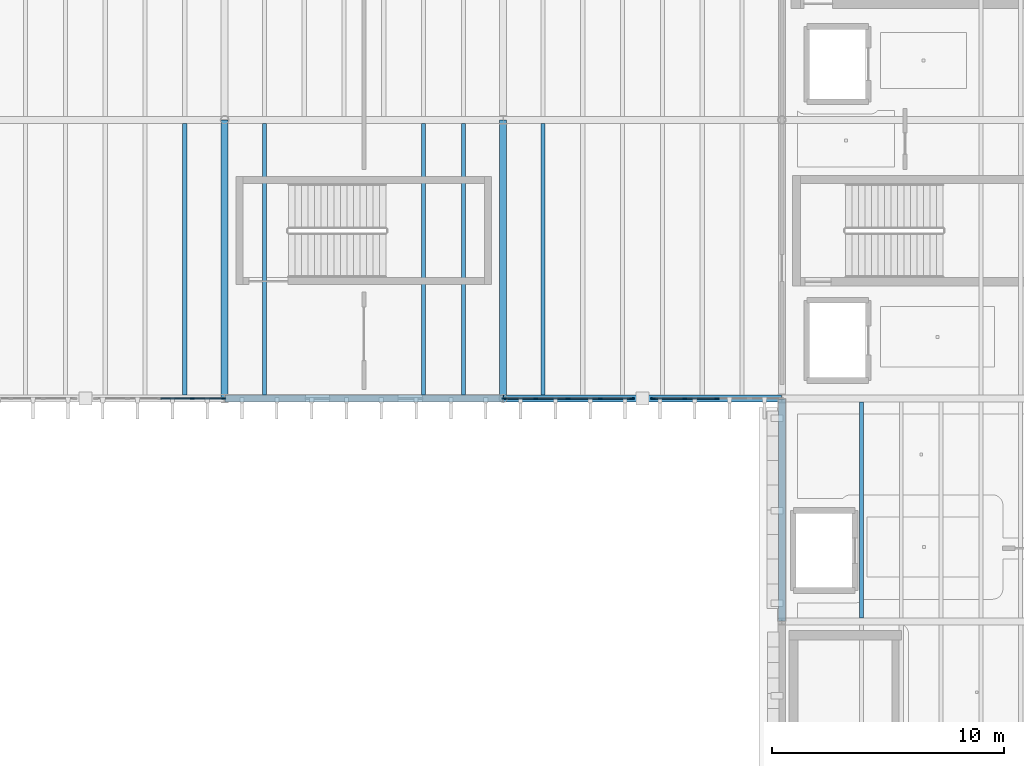
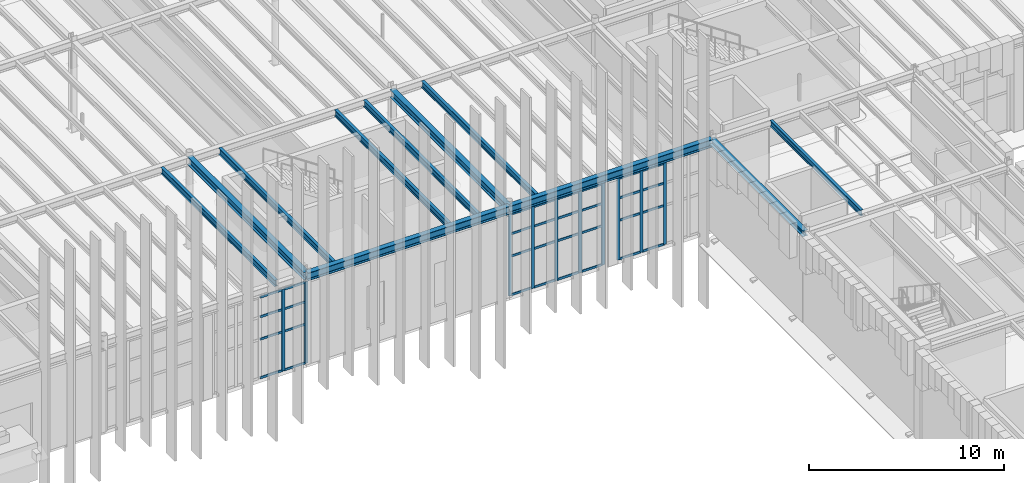
# One storey, part 25 of 83: 42 members, 11 beams, 3 elements without a shape of their own.
"""IFC4 building model written with IfcOpenShell, lengths in metres."""

from ifc_helpers import new_model, si_unit, direction, frame, origin, origin_2d, place, context, subcontext, project, spatial, rectangle, i_section, extrude, material, layer, layer_set, material_profile, profile_set, type_object, element, aggregate, save


model = new_model("IFC4")

# Units and contexts
model_context = context("Model", 3, precision=1e-05, world=origin(), true_north=direction((0.0, 1.0)))
body_context = subcontext(model_context, "Body", "Model", "MODEL_VIEW")
ifc_project = project(units=[si_unit("LENGTHUNIT", "METRE"), si_unit("AREAUNIT", "SQUARE_METRE"), si_unit("VOLUMEUNIT", "CUBIC_METRE"), si_unit("PLANEANGLEUNIT", "RADIAN"), si_unit("MASSUNIT", "GRAM", prefix="KILO")], contexts=[model_context])

# Site, building, storey
site_placement = place(None, origin())
site = spatial("IfcSite", under=ifc_project, at=site_placement, CompositionType="ELEMENT")
building_placement = place(site_placement, origin())
building = spatial("IfcBuilding", under=site, at=building_placement, Name="Zlatogorsky Bluff Art Gallery", CompositionType="ELEMENT")
storey_placement = place(building_placement, frame((0.0, 0.0, 10.800048828125)))
storey = spatial("IfcBuildingStorey", under=building, at=storey_placement, Name="L02", CompositionType="ELEMENT", Elevation=10.800048828125)

# Beams
ifc_material_1 = material(Name="Steel S355", Category="steel")
ifc_material_profile_1 = material_profile(ifc_material_1, i_section(OverallWidth=0.300048828125, OverallDepth=0.489990234375, WebThickness=0.011962890625, FlangeThickness=0.02294921875, FilletRadius=0.027099609375, at=origin_2d()), Name="HEA 500")
ifc_profile_set_1 = profile_set([ifc_material_profile_1], Name="Steel S355")
beam_type_1 = type_object("IfcBeamType", Name="Beam BM-07 HEA 500", PredefinedType="BEAM", material=ifc_profile_set_1)
for number, where, z_axis, x_axis, name in (
    (1, (96.014892578125, 84.0, 5.445068359375), (1.0, 0.0, 0.0), (0.0, 1.0, 0.0), "Primary girder BM-07 L02 J-K/9"),
    (2, (108.014892578125, 84.0, 5.445068359375), (1.0, 0.0, 0.0), (0.0, 1.0, 0.0), "Primary girder BM-07 L02 K-L/9"),
    (3, (96.0, 84.014892578125, 5.445068359375), (0.0, 1.0, 0.0), (-1.0, 0.0, 0.0), "Primary girder BM-07 L02 J/9-10"),
    (4, (108.0, 84.014892578125, 5.445068359375), (0.0, 1.0, 0.0), (-1.0, 0.0, 0.0), "Primary girder BM-07 L02 K/9-10"),
):
    element("IfcBeam", number, at=place(storey_placement, frame(where, z_axis=z_axis, x_axis=x_axis)), inside=storey, type_object=beam_type_1, Name=name, PredefinedType="BEAM", context=body_context, shape_type="SweptSolid", body=[
        extrude(i_section(OverallWidth=0.300048828125, OverallDepth=0.489990234375, WebThickness=0.011962890625, FlangeThickness=0.02294921875, FilletRadius=0.027099609375, at=origin_2d()), origin(), (0.0, 0.0, 1.0), 11.97021484375),
    ])
ifc_material_profile_2 = material_profile(ifc_material_1, i_section(OverallWidth=0.300048828125, OverallDepth=0.35009765625, WebThickness=0.010009765625, FlangeThickness=0.017578125, FilletRadius=0.027099609375, at=origin_2d()), Name="HEA 360")
ifc_profile_set_2 = profile_set([ifc_material_profile_2], Name="Steel S355")
beam_type_2 = type_object("IfcBeamType", Name="Beam BM-10 HEA 360", PredefinedType="BEAM", material=ifc_profile_set_2)
beam_1_placement = place(storey_placement, frame((120.0, 74.4150390625, 5.514892578125), z_axis=(0.0, 1.0, 0.0), x_axis=(-1.0, 0.0, 0.0)))
element("IfcBeam", 5, at=beam_1_placement, inside=storey, type_object=beam_type_2, Name="Primary girder BM-10 L02 L/8-9", PredefinedType="BEAM", context=body_context, shape_type="SweptSolid", body=[
    extrude(i_section(OverallWidth=0.300048828125, OverallDepth=0.35009765625, WebThickness=0.010009765625, FlangeThickness=0.017578125, FilletRadius=0.027099609375, at=origin_2d()), origin(), (0.0, 0.0, 1.0), 9.570068359375),
])
ifc_material_profile_3 = material_profile(ifc_material_1, i_section(OverallWidth=0.169921875, OverallDepth=0.360107421875, WebThickness=0.008056640625, FlangeThickness=0.0126953125, FilletRadius=0.01806640625, at=origin_2d()), Name="IPE 360")
ifc_profile_set_3 = profile_set([ifc_material_profile_3], Name="Steel S355")
beam_type_3 = type_object("IfcBeamType", Name="Beam JS-04 IPE 360", PredefinedType="JOIST", material=ifc_profile_set_3)
beam_2_placement = place(storey_placement, frame((123.428466796875, 74.550048828125, 5.510009765625), z_axis=(0.0, 1.0, 0.0), x_axis=(-1.0, 0.0, 0.0)))
element("IfcBeam", 6, at=beam_2_placement, inside=storey, type_object=beam_type_3, Name="Composite floor joist JS-04 L02 10.07.2", PredefinedType="JOIST", context=body_context, shape_type="SweptSolid", body=[
    extrude(i_section(OverallWidth=0.169921875, OverallDepth=0.360107421875, WebThickness=0.008056640625, FlangeThickness=0.0126953125, FilletRadius=0.01806640625, at=origin_2d()), origin(), (0.0, 0.0, 1.0), 9.300048828125),
])
ifc_material_profile_4 = material_profile(ifc_material_1, i_section(OverallWidth=0.179931640625, OverallDepth=0.39990234375, WebThickness=0.008544921875, FlangeThickness=0.013427734375, FilletRadius=0.02099609375, at=origin_2d()), Name="IPE 400")
ifc_profile_set_4 = profile_set([ifc_material_profile_4], Name="Steel S355")
beam_type_4 = type_object("IfcBeamType", Name="Beam JS-05 IPE 400", PredefinedType="JOIST", material=ifc_profile_set_4)
for number, where, z_axis, x_axis, name in (
    (7, (94.28564453125, 84.14990234375, 5.489990234375), (0.0, 1.0, 0.0), (-1.0, 0.0, 0.0), "Composite floor joist JS-05 L02 07.08.6"),
    (8, (97.71435546875, 84.14990234375, 5.489990234375), (0.0, 1.0, 0.0), (-1.0, 0.0, 0.0), "Composite floor joist JS-05 L02 08.08.1"),
    (9, (104.571533203125, 84.14990234375, 5.489990234375), (0.0, 1.0, 0.0), (-1.0, 0.0, 0.0), "Composite floor joist JS-05 L02 08.08.5"),
    (10, (106.28564453125, 84.14990234375, 5.489990234375), (0.0, 1.0, 0.0), (-1.0, 0.0, 0.0), "Composite floor joist JS-05 L02 08.08.6"),
    (11, (109.71435546875, 84.14990234375, 5.489990234375), (0.0, 1.0, 0.0), (-1.0, 0.0, 0.0), "Composite floor joist JS-05 L02 09.08.1"),
):
    element("IfcBeam", number, at=place(storey_placement, frame(where, z_axis=z_axis, x_axis=x_axis)), inside=storey, type_object=beam_type_4, Name=name, PredefinedType="JOIST", context=body_context, shape_type="SweptSolid", body=[
        extrude(i_section(OverallWidth=0.179931640625, OverallDepth=0.39990234375, WebThickness=0.008544921875, FlangeThickness=0.013427734375, FilletRadius=0.02099609375, at=origin_2d()), origin(), (0.0, 0.0, 1.0), 11.7001953125),
    ])

# Curtain wall, members
ifc_material_2 = material(Name="Anodised Bronze Aluminium and Low-Iron Triple Glazing", Category="aluminium")
ifc_layer = layer(ifc_material_2, 0.199951171875)
ifc_layer_set = layer_set([ifc_layer], Name="Curtain Wall CW-02")
curtain_wall_type = type_object("IfcCurtainWallType", Name="Curtain Wall CW-02", PredefinedType="USERDEFINED", material=ifc_layer_set)
curtain_wall_1_placement = place(storey_placement, origin())
curtain_wall_1 = element("IfcCurtainWall", 12, at=curtain_wall_1_placement, inside=storey, type_object=curtain_wall_type, Name="Unitised curtain wall CW-02 L02 S 7.8-B", ObjectType="CURTAIN WALL", PredefinedType="USERDEFINED")
ifc_material_3 = material(Name="Anodised Bronze Aluminium", Category="aluminium")
ifc_material_profile_5 = material_profile(ifc_material_3, rectangle(XDim=0.06494140625, YDim=0.179931640625, at=origin_2d()), Name="ALU MULLION 65x180")
ifc_profile_set_5 = profile_set([ifc_material_profile_5], Name="Anodised Bronze Aluminium")
member_type_1 = type_object("IfcMemberType", Name="Curtain Mullion ML-01", PredefinedType="MULLION", material=ifc_profile_set_5)
member_1_placement = place(storey_placement, frame((94.60498046875, 84.0, 0.0), z_axis=(0.0, 0.0, 1.0), x_axis=(0.0, 1.0, 0.0)))
member_1 = element("IfcMember", 13, at=member_1_placement, type_object=member_type_1, Name="CW-02 mullion 4", PredefinedType="MULLION", context=body_context, shape_type="SweptSolid", body=[
    extrude(rectangle(XDim=0.06494140625, YDim=0.179931640625, at=origin_2d()), origin(), (0.0, 0.0, 1.0), 5.10986328125),
])
member_2_placement = place(storey_placement, frame((95.967529296875, 84.0, 0.0), z_axis=(0.0, 0.0, 1.0), x_axis=(0.0, 1.0, 0.0)))
member_2 = element("IfcMember", 14, at=member_2_placement, type_object=member_type_1, Name="CW-02 mullion 5", PredefinedType="MULLION", context=body_context, shape_type="SweptSolid", body=[
    extrude(rectangle(XDim=0.06494140625, YDim=0.179931640625, at=origin_2d()), origin(), (0.0, 0.0, 1.0), 5.10986328125),
])

curtain_wall_2_placement = place(storey_placement, origin())
curtain_wall_2 = element("IfcCurtainWall", 15, at=curtain_wall_2_placement, inside=storey, type_object=curtain_wall_type, Name="Unitised curtain wall CW-02 L02 S 9.8-A", ObjectType="CURTAIN WALL", PredefinedType="USERDEFINED")
member_3_placement = place(storey_placement, frame((108.032470703125, 84.0, 0.0), z_axis=(0.0, 0.0, 1.0), x_axis=(0.0, 1.0, 0.0)))
member_3 = element("IfcMember", 16, at=member_3_placement, type_object=member_type_1, Name="CW-02 mullion 1", PredefinedType="MULLION", context=body_context, shape_type="SweptSolid", body=[
    extrude(rectangle(XDim=0.06494140625, YDim=0.179931640625, at=origin_2d()), origin(), (0.0, 0.0, 1.0), 5.10986328125),
])
member_4_placement = place(storey_placement, frame((109.39501953125, 84.0, 0.0), z_axis=(0.0, 0.0, 1.0), x_axis=(0.0, 1.0, 0.0)))
member_4 = element("IfcMember", 17, at=member_4_placement, type_object=member_type_1, Name="CW-02 mullion 2", PredefinedType="MULLION", context=body_context, shape_type="SweptSolid", body=[
    extrude(rectangle(XDim=0.06494140625, YDim=0.179931640625, at=origin_2d()), origin(), (0.0, 0.0, 1.0), 5.10986328125),
])
member_5_placement = place(storey_placement, frame((110.7900390625, 84.0, 0.0), z_axis=(0.0, 0.0, 1.0), x_axis=(0.0, 1.0, 0.0)))
member_5 = element("IfcMember", 18, at=member_5_placement, type_object=member_type_1, Name="CW-02 mullion 3", PredefinedType="MULLION", context=body_context, shape_type="SweptSolid", body=[
    extrude(rectangle(XDim=0.06494140625, YDim=0.179931640625, at=origin_2d()), origin(), (0.0, 0.0, 1.0), 5.10986328125),
])
member_6_placement = place(storey_placement, frame((112.18505859375, 84.0, 0.0), z_axis=(0.0, 0.0, 1.0), x_axis=(0.0, 1.0, 0.0)))
member_6 = element("IfcMember", 19, at=member_6_placement, type_object=member_type_1, Name="CW-02 mullion 4", PredefinedType="MULLION", context=body_context, shape_type="SweptSolid", body=[
    extrude(rectangle(XDim=0.06494140625, YDim=0.179931640625, at=origin_2d()), origin(), (0.0, 0.0, 1.0), 5.10986328125),
])
member_7_placement = place(storey_placement, frame((113.547607421875, 84.0, 0.0), z_axis=(0.0, 0.0, 1.0), x_axis=(0.0, 1.0, 0.0)))
member_7 = element("IfcMember", 20, at=member_7_placement, type_object=member_type_1, Name="CW-02 mullion 5", PredefinedType="MULLION", context=body_context, shape_type="SweptSolid", body=[
    extrude(rectangle(XDim=0.06494140625, YDim=0.179931640625, at=origin_2d()), origin(), (0.0, 0.0, 1.0), 5.10986328125),
])

curtain_wall_3_placement = place(storey_placement, origin())
curtain_wall_3 = element("IfcCurtainWall", 21, at=curtain_wall_3_placement, inside=storey, type_object=curtain_wall_type, Name="Unitised curtain wall CW-02 L02 S 9.8-B", ObjectType="CURTAIN WALL", PredefinedType="USERDEFINED")
member_8_placement = place(storey_placement, frame((114.452392578125, 84.0, 0.0), z_axis=(0.0, 0.0, 1.0), x_axis=(0.0, 1.0, 0.0)))
member_8 = element("IfcMember", 22, at=member_8_placement, type_object=member_type_1, Name="CW-02 mullion 1", PredefinedType="MULLION", context=body_context, shape_type="SweptSolid", body=[
    extrude(rectangle(XDim=0.06494140625, YDim=0.179931640625, at=origin_2d()), origin(), (0.0, 0.0, 1.0), 5.10986328125),
])
member_9_placement = place(storey_placement, frame((115.81494140625, 84.0, 0.0), z_axis=(0.0, 0.0, 1.0), x_axis=(0.0, 1.0, 0.0)))
member_9 = element("IfcMember", 23, at=member_9_placement, type_object=member_type_1, Name="CW-02 mullion 2", PredefinedType="MULLION", context=body_context, shape_type="SweptSolid", body=[
    extrude(rectangle(XDim=0.06494140625, YDim=0.179931640625, at=origin_2d()), origin(), (0.0, 0.0, 1.0), 5.10986328125),
])
member_10_placement = place(storey_placement, frame((117.2099609375, 84.0, 0.0), z_axis=(0.0, 0.0, 1.0), x_axis=(0.0, 1.0, 0.0)))
member_10 = element("IfcMember", 24, at=member_10_placement, type_object=member_type_1, Name="CW-02 mullion 3", PredefinedType="MULLION", context=body_context, shape_type="SweptSolid", body=[
    extrude(rectangle(XDim=0.06494140625, YDim=0.179931640625, at=origin_2d()), origin(), (0.0, 0.0, 1.0), 5.10986328125),
])

# Member
ifc_material_profile_6 = material_profile(ifc_material_3, rectangle(XDim=0.06494140625, YDim=0.139892578125, at=origin_2d()), Name="ALU TRANSOM 65x140")
ifc_profile_set_6 = profile_set([ifc_material_profile_6], Name="Anodised Bronze Aluminium")
member_type_2 = type_object("IfcMemberType", Name="Curtain Transom TR-01", PredefinedType="USERDEFINED", material=ifc_profile_set_6)
member_11_placement = place(storey_placement, frame((93.242431640625, 84.0, 0.032470703125), z_axis=(1.0, 0.0, 0.0), x_axis=(0.0, 1.0, 0.0)))
member_11 = element("IfcMember", 25, at=member_11_placement, type_object=member_type_2, Name="CW-02 transom 3.1", ObjectType="TRANSOM", PredefinedType="USERDEFINED", context=body_context, shape_type="SweptSolid", body=[
    extrude(rectangle(XDim=0.06494140625, YDim=0.139892578125, at=origin_2d()), origin(), (0.0, 0.0, 1.0), 1.330078125),
])

member_12_placement = place(storey_placement, frame((93.242431640625, 84.0, 2.449951171875), z_axis=(1.0, 0.0, 0.0), x_axis=(0.0, 1.0, 0.0)))
member_12 = element("IfcMember", 26, at=member_12_placement, type_object=member_type_2, Name="CW-02 transom 3.2", ObjectType="TRANSOM", PredefinedType="USERDEFINED", context=body_context, shape_type="SweptSolid", body=[
    extrude(rectangle(XDim=0.06494140625, YDim=0.139892578125, at=origin_2d()), origin(), (0.0, 0.0, 1.0), 1.330078125),
])

member_13_placement = place(storey_placement, frame((93.242431640625, 84.0, 3.849853515625), z_axis=(1.0, 0.0, 0.0), x_axis=(0.0, 1.0, 0.0)))
member_13 = element("IfcMember", 27, at=member_13_placement, type_object=member_type_2, Name="CW-02 transom 3.3", ObjectType="TRANSOM", PredefinedType="USERDEFINED", context=body_context, shape_type="SweptSolid", body=[
    extrude(rectangle(XDim=0.06494140625, YDim=0.139892578125, at=origin_2d()), origin(), (0.0, 0.0, 1.0), 1.330078125),
])

member_14_placement = place(storey_placement, frame((93.242431640625, 84.0, 5.077392578125), z_axis=(1.0, 0.0, 0.0), x_axis=(0.0, 1.0, 0.0)))
member_14 = element("IfcMember", 28, at=member_14_placement, type_object=member_type_2, Name="CW-02 transom 3.4", ObjectType="TRANSOM", PredefinedType="USERDEFINED", context=body_context, shape_type="SweptSolid", body=[
    extrude(rectangle(XDim=0.06494140625, YDim=0.139892578125, at=origin_2d()), origin(), (0.0, 0.0, 1.0), 1.330078125),
])

member_15_placement = place(storey_placement, frame((94.637451171875, 84.0, 0.032470703125), z_axis=(1.0, 0.0, 0.0), x_axis=(0.0, 1.0, 0.0)))
member_15 = element("IfcMember", 29, at=member_15_placement, type_object=member_type_2, Name="CW-02 transom 4.1", ObjectType="TRANSOM", PredefinedType="USERDEFINED", context=body_context, shape_type="SweptSolid", body=[
    extrude(rectangle(XDim=0.06494140625, YDim=0.139892578125, at=origin_2d()), origin(), (0.0, 0.0, 1.0), 1.297607421875),
])

member_16_placement = place(storey_placement, frame((94.637451171875, 84.0, 2.449951171875), z_axis=(1.0, 0.0, 0.0), x_axis=(0.0, 1.0, 0.0)))
member_16 = element("IfcMember", 30, at=member_16_placement, type_object=member_type_2, Name="CW-02 transom 4.2", ObjectType="TRANSOM", PredefinedType="USERDEFINED", context=body_context, shape_type="SweptSolid", body=[
    extrude(rectangle(XDim=0.06494140625, YDim=0.139892578125, at=origin_2d()), origin(), (0.0, 0.0, 1.0), 1.297607421875),
])

member_17_placement = place(storey_placement, frame((94.637451171875, 84.0, 3.849853515625), z_axis=(1.0, 0.0, 0.0), x_axis=(0.0, 1.0, 0.0)))
member_17 = element("IfcMember", 31, at=member_17_placement, type_object=member_type_2, Name="CW-02 transom 4.3", ObjectType="TRANSOM", PredefinedType="USERDEFINED", context=body_context, shape_type="SweptSolid", body=[
    extrude(rectangle(XDim=0.06494140625, YDim=0.139892578125, at=origin_2d()), origin(), (0.0, 0.0, 1.0), 1.297607421875),
])

member_18_placement = place(storey_placement, frame((94.637451171875, 84.0, 5.077392578125), z_axis=(1.0, 0.0, 0.0), x_axis=(0.0, 1.0, 0.0)))
member_18 = element("IfcMember", 32, at=member_18_placement, type_object=member_type_2, Name="CW-02 transom 4.4", ObjectType="TRANSOM", PredefinedType="USERDEFINED", context=body_context, shape_type="SweptSolid", body=[
    extrude(rectangle(XDim=0.06494140625, YDim=0.139892578125, at=origin_2d()), origin(), (0.0, 0.0, 1.0), 1.297607421875),
])

aggregate(curtain_wall_1, [member_1, member_2, member_11, member_12, member_13, member_14, member_15, member_16, member_17, member_18])

member_19_placement = place(storey_placement, frame((108.06494140625, 84.0, 0.032470703125), z_axis=(1.0, 0.0, 0.0), x_axis=(0.0, 1.0, 0.0)))
member_19 = element("IfcMember", 33, at=member_19_placement, type_object=member_type_2, Name="CW-02 transom 1.1", ObjectType="TRANSOM", PredefinedType="USERDEFINED", context=body_context, shape_type="SweptSolid", body=[
    extrude(rectangle(XDim=0.06494140625, YDim=0.139892578125, at=origin_2d()), origin(), (0.0, 0.0, 1.0), 1.297607421875),
])

member_20_placement = place(storey_placement, frame((108.06494140625, 84.0, 2.449951171875), z_axis=(1.0, 0.0, 0.0), x_axis=(0.0, 1.0, 0.0)))
member_20 = element("IfcMember", 34, at=member_20_placement, type_object=member_type_2, Name="CW-02 transom 1.2", ObjectType="TRANSOM", PredefinedType="USERDEFINED", context=body_context, shape_type="SweptSolid", body=[
    extrude(rectangle(XDim=0.06494140625, YDim=0.139892578125, at=origin_2d()), origin(), (0.0, 0.0, 1.0), 1.297607421875),
])

member_21_placement = place(storey_placement, frame((108.06494140625, 84.0, 3.849853515625), z_axis=(1.0, 0.0, 0.0), x_axis=(0.0, 1.0, 0.0)))
member_21 = element("IfcMember", 35, at=member_21_placement, type_object=member_type_2, Name="CW-02 transom 1.3", ObjectType="TRANSOM", PredefinedType="USERDEFINED", context=body_context, shape_type="SweptSolid", body=[
    extrude(rectangle(XDim=0.06494140625, YDim=0.139892578125, at=origin_2d()), origin(), (0.0, 0.0, 1.0), 1.297607421875),
])

member_22_placement = place(storey_placement, frame((108.06494140625, 84.0, 5.077392578125), z_axis=(1.0, 0.0, 0.0), x_axis=(0.0, 1.0, 0.0)))
member_22 = element("IfcMember", 36, at=member_22_placement, type_object=member_type_2, Name="CW-02 transom 1.4", ObjectType="TRANSOM", PredefinedType="USERDEFINED", context=body_context, shape_type="SweptSolid", body=[
    extrude(rectangle(XDim=0.06494140625, YDim=0.139892578125, at=origin_2d()), origin(), (0.0, 0.0, 1.0), 1.297607421875),
])

member_23_placement = place(storey_placement, frame((109.427490234375, 84.0, 0.032470703125), z_axis=(1.0, 0.0, 0.0), x_axis=(0.0, 1.0, 0.0)))
member_23 = element("IfcMember", 37, at=member_23_placement, type_object=member_type_2, Name="CW-02 transom 2.1", ObjectType="TRANSOM", PredefinedType="USERDEFINED", context=body_context, shape_type="SweptSolid", body=[
    extrude(rectangle(XDim=0.06494140625, YDim=0.139892578125, at=origin_2d()), origin(), (0.0, 0.0, 1.0), 1.330078125),
])

member_24_placement = place(storey_placement, frame((109.427490234375, 84.0, 2.449951171875), z_axis=(1.0, 0.0, 0.0), x_axis=(0.0, 1.0, 0.0)))
member_24 = element("IfcMember", 38, at=member_24_placement, type_object=member_type_2, Name="CW-02 transom 2.2", ObjectType="TRANSOM", PredefinedType="USERDEFINED", context=body_context, shape_type="SweptSolid", body=[
    extrude(rectangle(XDim=0.06494140625, YDim=0.139892578125, at=origin_2d()), origin(), (0.0, 0.0, 1.0), 1.330078125),
])

member_25_placement = place(storey_placement, frame((109.427490234375, 84.0, 3.849853515625), z_axis=(1.0, 0.0, 0.0), x_axis=(0.0, 1.0, 0.0)))
member_25 = element("IfcMember", 39, at=member_25_placement, type_object=member_type_2, Name="CW-02 transom 2.3", ObjectType="TRANSOM", PredefinedType="USERDEFINED", context=body_context, shape_type="SweptSolid", body=[
    extrude(rectangle(XDim=0.06494140625, YDim=0.139892578125, at=origin_2d()), origin(), (0.0, 0.0, 1.0), 1.330078125),
])

member_26_placement = place(storey_placement, frame((109.427490234375, 84.0, 5.077392578125), z_axis=(1.0, 0.0, 0.0), x_axis=(0.0, 1.0, 0.0)))
member_26 = element("IfcMember", 40, at=member_26_placement, type_object=member_type_2, Name="CW-02 transom 2.4", ObjectType="TRANSOM", PredefinedType="USERDEFINED", context=body_context, shape_type="SweptSolid", body=[
    extrude(rectangle(XDim=0.06494140625, YDim=0.139892578125, at=origin_2d()), origin(), (0.0, 0.0, 1.0), 1.330078125),
])

member_27_placement = place(storey_placement, frame((110.822509765625, 84.0, 0.032470703125), z_axis=(1.0, 0.0, 0.0), x_axis=(0.0, 1.0, 0.0)))
member_27 = element("IfcMember", 41, at=member_27_placement, type_object=member_type_2, Name="CW-02 transom 3.1", ObjectType="TRANSOM", PredefinedType="USERDEFINED", context=body_context, shape_type="SweptSolid", body=[
    extrude(rectangle(XDim=0.06494140625, YDim=0.139892578125, at=origin_2d()), origin(), (0.0, 0.0, 1.0), 1.330078125),
])

member_28_placement = place(storey_placement, frame((110.822509765625, 84.0, 2.449951171875), z_axis=(1.0, 0.0, 0.0), x_axis=(0.0, 1.0, 0.0)))
member_28 = element("IfcMember", 42, at=member_28_placement, type_object=member_type_2, Name="CW-02 transom 3.2", ObjectType="TRANSOM", PredefinedType="USERDEFINED", context=body_context, shape_type="SweptSolid", body=[
    extrude(rectangle(XDim=0.06494140625, YDim=0.139892578125, at=origin_2d()), origin(), (0.0, 0.0, 1.0), 1.330078125),
])

member_29_placement = place(storey_placement, frame((110.822509765625, 84.0, 3.849853515625), z_axis=(1.0, 0.0, 0.0), x_axis=(0.0, 1.0, 0.0)))
member_29 = element("IfcMember", 43, at=member_29_placement, type_object=member_type_2, Name="CW-02 transom 3.3", ObjectType="TRANSOM", PredefinedType="USERDEFINED", context=body_context, shape_type="SweptSolid", body=[
    extrude(rectangle(XDim=0.06494140625, YDim=0.139892578125, at=origin_2d()), origin(), (0.0, 0.0, 1.0), 1.330078125),
])

member_30_placement = place(storey_placement, frame((110.822509765625, 84.0, 5.077392578125), z_axis=(1.0, 0.0, 0.0), x_axis=(0.0, 1.0, 0.0)))
member_30 = element("IfcMember", 44, at=member_30_placement, type_object=member_type_2, Name="CW-02 transom 3.4", ObjectType="TRANSOM", PredefinedType="USERDEFINED", context=body_context, shape_type="SweptSolid", body=[
    extrude(rectangle(XDim=0.06494140625, YDim=0.139892578125, at=origin_2d()), origin(), (0.0, 0.0, 1.0), 1.330078125),
])

member_31_placement = place(storey_placement, frame((112.217529296875, 84.0, 0.032470703125), z_axis=(1.0, 0.0, 0.0), x_axis=(0.0, 1.0, 0.0)))
member_31 = element("IfcMember", 45, at=member_31_placement, type_object=member_type_2, Name="CW-02 transom 4.1", ObjectType="TRANSOM", PredefinedType="USERDEFINED", context=body_context, shape_type="SweptSolid", body=[
    extrude(rectangle(XDim=0.06494140625, YDim=0.139892578125, at=origin_2d()), origin(), (0.0, 0.0, 1.0), 1.29736328125),
])

member_32_placement = place(storey_placement, frame((112.217529296875, 84.0, 2.449951171875), z_axis=(1.0, 0.0, 0.0), x_axis=(0.0, 1.0, 0.0)))
member_32 = element("IfcMember", 46, at=member_32_placement, type_object=member_type_2, Name="CW-02 transom 4.2", ObjectType="TRANSOM", PredefinedType="USERDEFINED", context=body_context, shape_type="SweptSolid", body=[
    extrude(rectangle(XDim=0.06494140625, YDim=0.139892578125, at=origin_2d()), origin(), (0.0, 0.0, 1.0), 1.29736328125),
])

member_33_placement = place(storey_placement, frame((112.217529296875, 84.0, 3.849853515625), z_axis=(1.0, 0.0, 0.0), x_axis=(0.0, 1.0, 0.0)))
member_33 = element("IfcMember", 47, at=member_33_placement, type_object=member_type_2, Name="CW-02 transom 4.3", ObjectType="TRANSOM", PredefinedType="USERDEFINED", context=body_context, shape_type="SweptSolid", body=[
    extrude(rectangle(XDim=0.06494140625, YDim=0.139892578125, at=origin_2d()), origin(), (0.0, 0.0, 1.0), 1.29736328125),
])

member_34_placement = place(storey_placement, frame((112.217529296875, 84.0, 5.077392578125), z_axis=(1.0, 0.0, 0.0), x_axis=(0.0, 1.0, 0.0)))
member_34 = element("IfcMember", 48, at=member_34_placement, type_object=member_type_2, Name="CW-02 transom 4.4", ObjectType="TRANSOM", PredefinedType="USERDEFINED", context=body_context, shape_type="SweptSolid", body=[
    extrude(rectangle(XDim=0.06494140625, YDim=0.139892578125, at=origin_2d()), origin(), (0.0, 0.0, 1.0), 1.29736328125),
])

aggregate(curtain_wall_2, [member_3, member_4, member_5, member_6, member_7, member_19, member_20, member_21, member_22, member_23, member_24, member_25, member_26, member_27, member_28, member_29, member_30, member_31, member_32, member_33, member_34])

member_35_placement = place(storey_placement, frame((114.485107421875, 84.0, 0.032470703125), z_axis=(1.0, 0.0, 0.0), x_axis=(0.0, 1.0, 0.0)))
member_35 = element("IfcMember", 49, at=member_35_placement, type_object=member_type_2, Name="CW-02 transom 1.1", ObjectType="TRANSOM", PredefinedType="USERDEFINED", context=body_context, shape_type="SweptSolid", body=[
    extrude(rectangle(XDim=0.06494140625, YDim=0.139892578125, at=origin_2d()), origin(), (0.0, 0.0, 1.0), 1.29736328125),
])

member_36_placement = place(storey_placement, frame((114.485107421875, 84.0, 2.449951171875), z_axis=(1.0, 0.0, 0.0), x_axis=(0.0, 1.0, 0.0)))
member_36 = element("IfcMember", 50, at=member_36_placement, type_object=member_type_2, Name="CW-02 transom 1.2", ObjectType="TRANSOM", PredefinedType="USERDEFINED", context=body_context, shape_type="SweptSolid", body=[
    extrude(rectangle(XDim=0.06494140625, YDim=0.139892578125, at=origin_2d()), origin(), (0.0, 0.0, 1.0), 1.29736328125),
])

member_37_placement = place(storey_placement, frame((114.485107421875, 84.0, 3.849853515625), z_axis=(1.0, 0.0, 0.0), x_axis=(0.0, 1.0, 0.0)))
member_37 = element("IfcMember", 51, at=member_37_placement, type_object=member_type_2, Name="CW-02 transom 1.3", ObjectType="TRANSOM", PredefinedType="USERDEFINED", context=body_context, shape_type="SweptSolid", body=[
    extrude(rectangle(XDim=0.06494140625, YDim=0.139892578125, at=origin_2d()), origin(), (0.0, 0.0, 1.0), 1.29736328125),
])

member_38_placement = place(storey_placement, frame((114.485107421875, 84.0, 5.077392578125), z_axis=(1.0, 0.0, 0.0), x_axis=(0.0, 1.0, 0.0)))
member_38 = element("IfcMember", 52, at=member_38_placement, type_object=member_type_2, Name="CW-02 transom 1.4", ObjectType="TRANSOM", PredefinedType="USERDEFINED", context=body_context, shape_type="SweptSolid", body=[
    extrude(rectangle(XDim=0.06494140625, YDim=0.139892578125, at=origin_2d()), origin(), (0.0, 0.0, 1.0), 1.29736328125),
])

member_39_placement = place(storey_placement, frame((115.847412109375, 84.0, 0.032470703125), z_axis=(1.0, 0.0, 0.0), x_axis=(0.0, 1.0, 0.0)))
member_39 = element("IfcMember", 53, at=member_39_placement, type_object=member_type_2, Name="CW-02 transom 2.1", ObjectType="TRANSOM", PredefinedType="USERDEFINED", context=body_context, shape_type="SweptSolid", body=[
    extrude(rectangle(XDim=0.06494140625, YDim=0.139892578125, at=origin_2d()), origin(), (0.0, 0.0, 1.0), 1.330078125),
])

member_40_placement = place(storey_placement, frame((115.847412109375, 84.0, 2.449951171875), z_axis=(1.0, 0.0, 0.0), x_axis=(0.0, 1.0, 0.0)))
member_40 = element("IfcMember", 54, at=member_40_placement, type_object=member_type_2, Name="CW-02 transom 2.2", ObjectType="TRANSOM", PredefinedType="USERDEFINED", context=body_context, shape_type="SweptSolid", body=[
    extrude(rectangle(XDim=0.06494140625, YDim=0.139892578125, at=origin_2d()), origin(), (0.0, 0.0, 1.0), 1.330078125),
])

member_41_placement = place(storey_placement, frame((115.847412109375, 84.0, 3.849853515625), z_axis=(1.0, 0.0, 0.0), x_axis=(0.0, 1.0, 0.0)))
member_41 = element("IfcMember", 55, at=member_41_placement, type_object=member_type_2, Name="CW-02 transom 2.3", ObjectType="TRANSOM", PredefinedType="USERDEFINED", context=body_context, shape_type="SweptSolid", body=[
    extrude(rectangle(XDim=0.06494140625, YDim=0.139892578125, at=origin_2d()), origin(), (0.0, 0.0, 1.0), 1.330078125),
])

member_42_placement = place(storey_placement, frame((115.847412109375, 84.0, 5.077392578125), z_axis=(1.0, 0.0, 0.0), x_axis=(0.0, 1.0, 0.0)))
member_42 = element("IfcMember", 56, at=member_42_placement, type_object=member_type_2, Name="CW-02 transom 2.4", ObjectType="TRANSOM", PredefinedType="USERDEFINED", context=body_context, shape_type="SweptSolid", body=[
    extrude(rectangle(XDim=0.06494140625, YDim=0.139892578125, at=origin_2d()), origin(), (0.0, 0.0, 1.0), 1.330078125),
])

aggregate(curtain_wall_3, [member_8, member_9, member_10, member_35, member_36, member_37, member_38, member_39, member_40, member_41, member_42])

save(model, "model.ifc")
